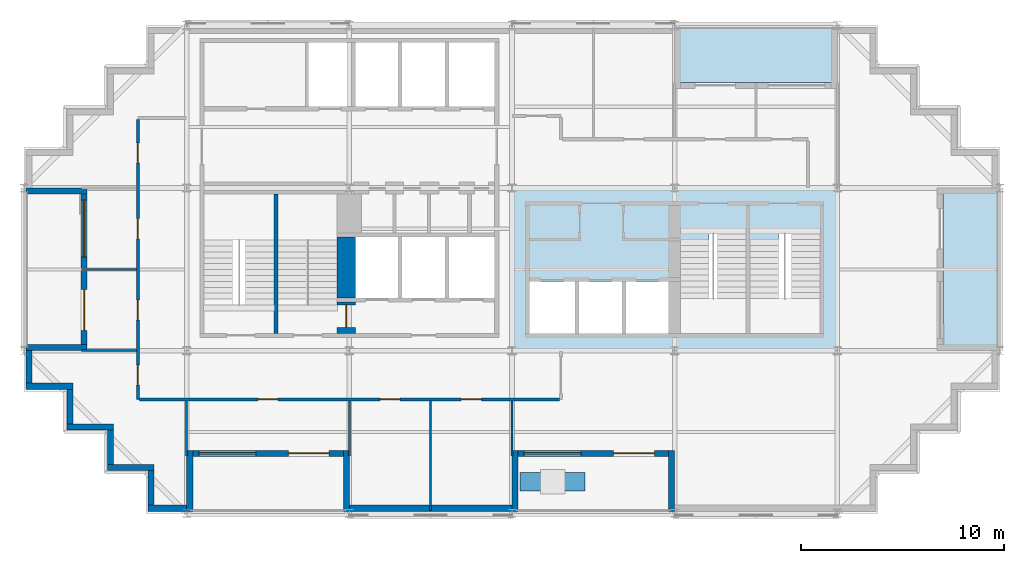
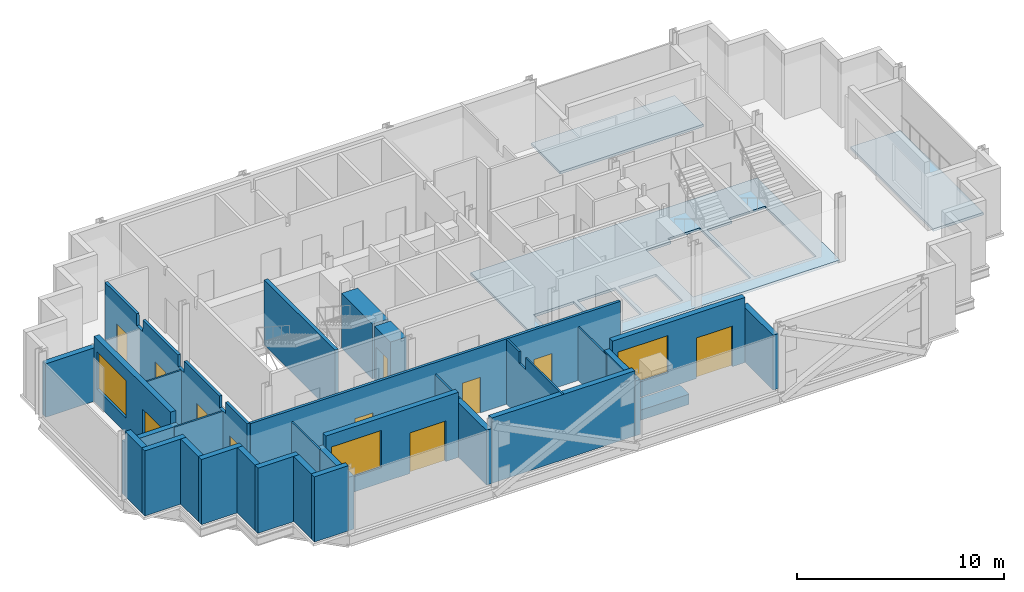
# One storey, part 2 of 8: 30 walls, 11 doors, 3 slabs, 3 windows, 14 openings.
"""IFC4 building model written with IfcOpenShell, lengths in metres."""

import ifcopenshell
import ifcopenshell.guid

model = None  # the IFC model being written
_history = None  # IfcOwnerHistory: only IFC2X3 demands one
_inside = {}  # id of a spatial element -> (the spatial element, [elements in it])
_under = {}  # id of a project, library or spatial element -> (it, [spatial elements below it])
_declared = {}  # id of a project -> (the project, [libraries it declares])
_typed = {}  # id of a type object -> (the type object, [elements of that type])
_made_of = {}  # id of a material, layer set ... -> (it, [elements and type objects made of it])


def new_model(schema):
    """Start an empty IFC model of exactly this schema.

    Asked for "IFC4X3", IfcOpenShell would pick the latest addendum, in which some entities
    have other attributes; the version numbers below select the first issue.
    IFC2X3 requires an IfcOwnerHistory on every rooted entity: one is made here for all.
    """
    global model, _history
    if schema == "IFC4X3":
        model = ifcopenshell.file(schema_version=(4, 3, 0, 0))
    else:
        model = ifcopenshell.file(schema=schema)
    _inside.clear()
    _under.clear()
    _declared.clear()
    _typed.clear()
    _made_of.clear()
    _history = None
    if model.schema == "IFC2X3":
        org = make("IfcOrganization", Name="unknown")
        user = make(
            "IfcPersonAndOrganization",
            ThePerson=make("IfcPerson", FamilyName="unknown"),
            TheOrganization=org,
        )
        app = make(
            "IfcApplication",
            ApplicationDeveloper=org,
            Version="unknown",
            ApplicationFullName="unknown",
            ApplicationIdentifier="unknown",
        )
        _history = make(
            "IfcOwnerHistory",
            OwningUser=user,
            OwningApplication=app,
            ChangeAction="ADDED",
            CreationDate=0,
        )
    return model


def make(cls, **values):
    """One entity of the class cls with the attributes given. An attribute that is None is left unset."""
    return model.create_entity(
        cls, **{name: value for name, value in values.items() if value is not None}
    )


def rooted(cls, **values):
    """An entity with a GlobalId (a new one), such as an element, a storey or a relation."""
    return make(cls, GlobalId=ifcopenshell.guid.new(), OwnerHistory=_history, **values)


def si_unit(unit_type, name, prefix=None):
    """IfcSIUnit, for example si_unit("LENGTHUNIT", "METRE", prefix="MILLI")."""
    return make("IfcSIUnit", UnitType=unit_type, Prefix=prefix, Name=name)


def assignment(units):
    """IfcUnitAssignment: the units of a project."""
    return None if units is None else make("IfcUnitAssignment", Units=units)


def point(xyz):
    """IfcCartesianPoint."""
    return None if xyz is None else make("IfcCartesianPoint", Coordinates=xyz)


def direction(xyz):
    """IfcDirection."""
    return None if xyz is None else make("IfcDirection", DirectionRatios=xyz)


def frame(location, z_axis=None, x_axis=None):
    """IfcAxis2Placement3D, a coordinate frame: its origin and axes. An axis left out is left unset."""
    return make(
        "IfcAxis2Placement3D",
        Location=point(location),
        Axis=direction(z_axis),
        RefDirection=direction(x_axis),
    )


def frame_2d(location, x_axis=None):
    """IfcAxis2Placement2D, a coordinate frame in the plane: its origin and x axis."""
    return make(
        "IfcAxis2Placement2D", Location=point(location), RefDirection=direction(x_axis)
    )


def origin():
    """The frame at (0, 0, 0) with its axes left unset."""
    return frame((0.0, 0.0, 0.0))


def place(relative_to, where):
    """IfcLocalPlacement: puts the frame where relative to a parent placement (None: the world)."""
    return make(
        "IfcLocalPlacement", PlacementRelTo=relative_to, RelativePlacement=where
    )


def context(
    kind, dimensions, precision=None, world=None, true_north=None, identifier=None
):
    """IfcGeometricRepresentationContext, for example the 3D "Model" context."""
    return make(
        "IfcGeometricRepresentationContext",
        ContextIdentifier=identifier,
        ContextType=kind,
        CoordinateSpaceDimension=dimensions,
        Precision=precision,
        WorldCoordinateSystem=world,
        TrueNorth=true_north,
    )


def subcontext(parent, identifier, kind, view, scale=None):
    """IfcGeometricRepresentationSubContext, for example "Body" below "Model"."""
    return make(
        "IfcGeometricRepresentationSubContext",
        ContextIdentifier=identifier,
        ContextType=kind,
        ParentContext=parent,
        TargetScale=scale,
        TargetView=view,
    )


def project(units=None, contexts=None):
    """IfcProject with its units and contexts."""
    return rooted(
        "IfcProject",
        Name="project",
        RepresentationContexts=contexts,
        UnitsInContext=assignment(units),
    )


def spatial(cls, under=None, at=None, **own):
    """A site, building, storey or space (cls), placed at a placement, below another one or the project."""
    s = rooted(cls, ObjectPlacement=at, **own)
    if under is not None:
        _under.setdefault(under.id(), (under, []))[1].append(s)
    return s


def polyline(points):
    """IfcPolyline through the points."""
    return make("IfcPolyline", Points=[point(p) for p in points])


def profile(cls, at=None, kind="AREA", **sizes):
    """A parametric profile (cls). Its sizes go by their IFC names, for example OverallWidth=200.0."""
    return make(cls, ProfileType=kind, Position=at, **sizes)


def rectangle(**sizes):
    """IfcRectangleProfileDef."""
    return profile("IfcRectangleProfileDef", **sizes)


def outline(outer, holes=None, kind="AREA"):
    """IfcArbitraryClosedProfileDef: a profile drawn as a closed curve; with holes, ...WithVoids."""
    if holes is None:
        return make("IfcArbitraryClosedProfileDef", ProfileType=kind, OuterCurve=outer)
    return make(
        "IfcArbitraryProfileDefWithVoids",
        ProfileType=kind,
        OuterCurve=outer,
        InnerCurves=holes,
    )


def extrude(swept, where, along, depth):
    """IfcExtrudedAreaSolid: the profile swept, set in the frame where, extruded along a direction by depth."""
    return make(
        "IfcExtrudedAreaSolid",
        SweptArea=swept,
        Position=where,
        ExtrudedDirection=direction(along),
        Depth=depth,
    )


def shape(context_of_items, identifier, shape_type, items):
    """IfcShapeRepresentation: the items that make up one representation, for example the "Body"."""
    return make(
        "IfcShapeRepresentation",
        ContextOfItems=context_of_items,
        RepresentationIdentifier=identifier,
        RepresentationType=shape_type,
        Items=items,
    )


def material(Name=None, Category=None):
    """IfcMaterial."""
    return make("IfcMaterial", Name=Name, Category=Category)


def layer(
    of_material, thickness, ventilated=None, Name=None, Category=None, Priority=None
):
    """IfcMaterialLayer: one layer of a wall or slab, of a material (None: an air gap)."""
    return make(
        "IfcMaterialLayer",
        Material=of_material,
        LayerThickness=thickness,
        IsVentilated=ventilated,
        Name=Name,
        Category=Category,
        Priority=Priority,
    )


def layer_set(layers, Name=None):
    """IfcMaterialLayerSet."""
    return make("IfcMaterialLayerSet", MaterialLayers=layers, LayerSetName=Name)


def made_of(thing, what):
    """Note that an element or type object is made of a material, layer set ...; save() writes the relation."""
    if what is not None:
        _made_of.setdefault(what.id(), (what, []))[1].append(thing)
    return thing


def type_object(cls, material=None, **own):
    """A type object (cls), such as IfcWallType, which elements share."""
    return made_of(rooted(cls, **own), material)


def element(
    cls,
    number,
    at=None,
    inside=None,
    cuts=None,
    type_object=None,
    material=None,
    context=None,
    identifier="Body",
    shape_type=None,
    held_by="IfcProductDefinitionShape",
    body=None,
    shapes=None,
    **own,
):
    """One element of the class cls, such as IfcWall. Its Tag is "e" and its number.

    at: its placement. inside: the storey or other place that contains it. cuts: it is an
    opening in that element (IfcRelVoidsElement). A single representation is given by context,
    identifier, shape_type and body (its items); several are given by shapes. held_by: the class
    of the entity that holds the representations. save() writes the other relations.
    """
    e = rooted(cls, Tag="e%d" % number, ObjectPlacement=at, **own)
    if body is not None:
        shapes = [shape(context, identifier, shape_type, body)]
    if shapes is not None:
        e.Representation = make(held_by, Representations=shapes)
    if inside is not None:
        _inside.setdefault(inside.id(), (inside, []))[1].append(e)
    if cuts is not None:
        rooted(
            "IfcRelVoidsElement", RelatingBuildingElement=cuts, RelatedOpeningElement=e
        )
    if type_object is not None:
        _typed.setdefault(type_object.id(), (type_object, []))[1].append(e)
    return made_of(e, material)


def fill(opening, filler):
    """IfcRelFillsElement: the door or window that sits in an opening."""
    return rooted(
        "IfcRelFillsElement",
        RelatingOpeningElement=opening,
        RelatedBuildingElement=filler,
    )


def aggregate(whole, parts):
    """IfcRelAggregates: a whole, such as a stair, and the parts it consists of."""
    return rooted("IfcRelAggregates", RelatingObject=whole, RelatedObjects=parts)


def save(model, path):
    """Write the relations noted so far, then the file.

    IfcRelAggregates (storeys below a building ...), IfcRelContainedInSpatialStructure (elements
    in a storey), IfcRelDefinesByType, IfcRelAssociatesMaterial and IfcRelDeclares: one each for
    every whole, place, type object, material and project.
    """
    for whole, parts in _under.values():
        aggregate(whole, parts)
    for where, things in _inside.values():
        rooted(
            "IfcRelContainedInSpatialStructure",
            RelatedElements=things,
            RelatingStructure=where,
        )
    for kind, things in _typed.values():
        rooted("IfcRelDefinesByType", RelatedObjects=things, RelatingType=kind)
    for what, things in _made_of.values():
        rooted("IfcRelAssociatesMaterial", RelatedObjects=things, RelatingMaterial=what)
    for by, libraries in _declared.values():
        rooted("IfcRelDeclares", RelatingContext=by, RelatedDefinitions=libraries)
    model.write(path)


model = new_model("IFC4")

# Units and contexts
model_context = context("Model", 3, precision=1e-05, world=origin(), true_north=direction((0.0, 1.0)))
body_context = subcontext(model_context, "Body", "Model", "MODEL_VIEW")
ifc_project = project(units=[si_unit("LENGTHUNIT", "METRE"), si_unit("AREAUNIT", "SQUARE_METRE"), si_unit("VOLUMEUNIT", "CUBIC_METRE"), si_unit("PLANEANGLEUNIT", "RADIAN"), si_unit("MASSUNIT", "GRAM", prefix="KILO")], contexts=[model_context])

# Site, building, storey
site_placement = place(None, origin())
site = spatial("IfcSite", under=ifc_project, at=site_placement, CompositionType="ELEMENT")
building_placement = place(site_placement, origin())
building = spatial("IfcBuilding", under=site, at=building_placement, Name="Immortelle Media Tower", CompositionType="ELEMENT")
storey_placement = place(building_placement, frame((0.0, 0.0, 201.0)))
storey = spatial("IfcBuildingStorey", under=building, at=storey_placement, Name="L42", CompositionType="ELEMENT", Elevation=201.0)

# Slabs
ifc_material_1 = material(Name="Concrete C50/60 composite deck", Category="concrete")
ifc_layer_1 = layer(ifc_material_1, 0.14990234375)
ifc_layer_set_1 = layer_set([ifc_layer_1], Name="Concrete C50/60 composite deck")
slab_type_1 = type_object("IfcSlabType", Name="Balcony slab 150", PredefinedType="FLOOR", material=ifc_layer_set_1)
slab_1_placement = place(storey_placement, frame((0.0, 0.0, -0.14990234375)))
element("IfcSlab", 1, at=slab_1_placement, inside=storey, type_object=slab_type_1, Name="Balcony slab L42 E0", PredefinedType="FLOOR", context=body_context, shape_type="SweptSolid", body=[
    extrude(outline(polyline([(48.0, 8.0), (48.0, 16.0), (45.199951171875, 16.0), (45.199951171875, 8.0), (48.0, 8.0)])), origin(), (0.0, 0.0, 1.0), 0.14990234375),
])
slab_2_placement = place(storey_placement, frame((0.0, 0.0, -0.14990234375)))
element("IfcSlab", 2, at=slab_2_placement, inside=storey, type_object=slab_type_1, Name="Balcony slab L42 N0", PredefinedType="FLOOR", context=body_context, shape_type="SweptSolid", body=[
    extrude(outline(polyline([(40.0, 21.199951171875), (40.0, 24.0), (32.0, 24.0), (32.0, 21.199951171875), (40.0, 21.199951171875)])), origin(), (0.0, 0.0, 1.0), 0.14990234375),
])
ifc_material_2 = material(Name="Concrete C50/60", Category="concrete")
ifc_layer_2 = layer(ifc_material_2, 0.14990234375)
ifc_layer_set_2 = layer_set([ifc_layer_2], Name="Concrete C50/60")
slab_type_2 = type_object("IfcSlabType", Name="Core floor slab 150", PredefinedType="FLOOR", material=ifc_layer_set_2)
slab_3_placement = place(storey_placement, frame((0.0, 0.0, -0.14990234375)))
element("IfcSlab", 3, at=slab_3_placement, inside=storey, type_object=slab_type_2, Name="Core floor SE", PredefinedType="FLOOR", context=body_context, shape_type="SweptSolid", body=[
    extrude(outline(polyline([(24.0, 8.0), (40.0, 8.0), (40.0, 16.0), (24.0, 16.0), (24.0, 8.0)]), holes=[polyline([(24.85009765625, 8.85009765625), (27.10009765625, 8.85009765625), (27.10009765625, 11.39990234375), (24.85009765625, 11.39990234375), (24.85009765625, 8.85009765625)]), polyline([(27.300048828125, 8.85009765625), (29.39990234375, 8.85009765625), (29.39990234375, 11.39990234375), (27.300048828125, 11.39990234375), (27.300048828125, 8.85009765625)]), polyline([(29.60009765625, 8.85009765625), (31.699951171875, 8.85009765625), (31.699951171875, 11.39990234375), (29.60009765625, 11.39990234375), (29.60009765625, 8.85009765625)]), polyline([(35.5, 13.72998046875), (35.5, 8.85009765625), (32.300048828125, 8.85009765625), (32.300048828125, 13.43994140625), (33.699951171875, 13.43994140625), (33.699951171875, 13.72998046875), (35.5, 13.72998046875)]), polyline([(39.14990234375, 13.72998046875), (39.14990234375, 8.85009765625), (35.699951171875, 8.85009765625), (35.699951171875, 13.43994140625), (37.10009765625, 13.43994140625), (37.10009765625, 13.72998046875), (39.14990234375, 13.72998046875)])]), origin(), (0.0, 0.0, 1.0), 0.14990234375),
])

# Wall, openings, doors
ifc_material_3 = material(Name="Fire-rated gypsum board", Category="gypsum")
ifc_layer_3 = layer(ifc_material_3, 0.012451171875)
ifc_material_4 = material(Name="Steel ASTM A653 SS Gr 50 stud frame with mineral wool", Category="steel")
ifc_layer_4 = layer(ifc_material_4, 0.125)
ifc_layer_5 = layer(ifc_material_3, 0.012451171875)
ifc_layer_set_3 = layer_set([ifc_layer_3, ifc_layer_4, ifc_layer_5], Name="Steel ASTM A653 SS Gr 50 stud frame with mineral wool")
wall_type_1 = type_object("IfcWallType", Name="Corridor wall 150", PredefinedType="PARTITIONING", material=ifc_layer_set_3)
wall_1_placement = place(storey_placement, frame((5.675048828125, 5.60009765625, 0.0), z_axis=(0.0, 0.0, 1.0), x_axis=(1.0, 0.0, 0.0)))
wall_1 = element("IfcWall", 4, at=wall_1_placement, inside=storey, type_object=wall_type_1, Name="Partition L42-005", PredefinedType="PARTITIONING", context=body_context, shape_type="SweptSolid", body=[
    extrude(rectangle(XDim=20.64990234375, YDim=0.14990234375, at=frame_2d((10.324951171875, 0.0))), origin(), (0.0, 0.0, 1.0), 3.85009765625),
])
opening_1_placement = place(wall_1_placement, frame((12.824951171875, 0.0, 0.0), z_axis=(0.0, 0.0, 1.0), x_axis=(-1.0, 0.0, 0.0)))
opening_1 = element("IfcOpeningElement", 5, at=opening_1_placement, cuts=wall_1, Name="Opening O2-F001", PredefinedType="OPENING", context=body_context, shape_type="SweptSolid", body=[
    extrude(rectangle(XDim=1.0, YDim=2.10009765625, at=frame_2d((0.5, 1.050048828125))), frame((0.0, 0.0849609375, 0.0), z_axis=(0.0, -1.0, 0.0), x_axis=(1.0, 0.0, 0.0)), (0.0, 0.0, 1.0), 0.169921875),
])
opening_2_placement = place(wall_1_placement, frame((16.824951171875, 0.0, 0.0), z_axis=(0.0, 0.0, 1.0), x_axis=(-1.0, 0.0, 0.0)))
opening_2 = element("IfcOpeningElement", 6, at=opening_2_placement, cuts=wall_1, Name="Opening O2-F002", PredefinedType="OPENING", context=body_context, shape_type="SweptSolid", body=[
    extrude(rectangle(XDim=1.0, YDim=2.10009765625, at=frame_2d((0.5, 1.050048828125))), frame((0.0, 0.0849609375, 0.0), z_axis=(0.0, -1.0, 0.0), x_axis=(1.0, 0.0, 0.0)), (0.0, 0.0, 1.0), 0.169921875),
])
opening_3_placement = place(wall_1_placement, frame((6.824951171875, 0.0, 0.0), z_axis=(0.0, 0.0, 1.0), x_axis=(-1.0, 0.0, 0.0)))
opening_3 = element("IfcOpeningElement", 7, at=opening_3_placement, cuts=wall_1, Name="Opening O2-F003", PredefinedType="OPENING", context=body_context, shape_type="SweptSolid", body=[
    extrude(rectangle(XDim=1.0, YDim=2.10009765625, at=frame_2d((0.5, 1.050048828125))), frame((0.0, 0.0849609375, 0.0), z_axis=(0.0, -1.0, 0.0), x_axis=(1.0, 0.0, 0.0)), (0.0, 0.0, 1.0), 0.169921875),
])
ifc_material_5 = material(Name="Timber veneered door leaf, galvanised steel frame ASTM A653", Category="steel")
door_type_1 = type_object("IfcDoorType", Name="Room door 1000 x 2100", OperationType="NOTDEFINED", PredefinedType="DOOR", material=ifc_material_5)
door_1_placement = place(opening_1_placement, origin())
door_1 = element("IfcDoor", 8, at=door_1_placement, inside=storey, type_object=door_type_1, Name="Door O2-F001", OperationType="SINGLE_SWING_RIGHT", OverallHeight=2.10009765625, OverallWidth=1.0, PredefinedType="DOOR", context=body_context, shape_type="SweptSolid", body=[
    extrude(rectangle(XDim=1.0, YDim=2.10009765625, at=frame_2d((0.5, 1.050048828125))), frame((0.0, 0.02490234375, 0.0), z_axis=(0.0, -1.0, 0.0), x_axis=(1.0, 0.0, 0.0)), (0.0, 0.0, 1.0), 0.050048828125),
])
fill(opening_1, door_1)
door_2_placement = place(opening_2_placement, origin())
door_2 = element("IfcDoor", 9, at=door_2_placement, inside=storey, type_object=door_type_1, Name="Door O2-F002", OperationType="SINGLE_SWING_RIGHT", OverallHeight=2.10009765625, OverallWidth=1.0, PredefinedType="DOOR", context=body_context, shape_type="SweptSolid", body=[
    extrude(rectangle(XDim=1.0, YDim=2.10009765625, at=frame_2d((0.5, 1.050048828125))), frame((0.0, 0.02490234375, 0.0), z_axis=(0.0, -1.0, 0.0), x_axis=(1.0, 0.0, 0.0)), (0.0, 0.0, 1.0), 0.050048828125),
])
fill(opening_2, door_2)
door_3_placement = place(opening_3_placement, origin())
door_3 = element("IfcDoor", 10, at=door_3_placement, inside=storey, type_object=door_type_1, Name="Door O2-F003", OperationType="SINGLE_SWING_RIGHT", OverallHeight=2.10009765625, OverallWidth=1.0, PredefinedType="DOOR", context=body_context, shape_type="SweptSolid", body=[
    extrude(rectangle(XDim=1.0, YDim=2.10009765625, at=frame_2d((0.5, 1.050048828125))), frame((0.0, 0.02490234375, 0.0), z_axis=(0.0, -1.0, 0.0), x_axis=(1.0, 0.0, 0.0)), (0.0, 0.0, 1.0), 0.050048828125),
])
fill(opening_3, door_3)

wall_2_placement = place(storey_placement, frame((5.60009765625, 5.60009765625, 0.0), z_axis=(0.0, 0.0, 1.0), x_axis=(0.0, 1.0, 0.0)))
wall_2 = element("IfcWall", 11, at=wall_2_placement, inside=storey, type_object=wall_type_1, Name="Partition L42-006", PredefinedType="PARTITIONING", context=body_context, shape_type="SweptSolid", body=[
    extrude(outline(polyline([(0.0, 0.0), (13.77490234375, 0.0), (13.77490234375, 3.85009765625), (10.699951171875, 3.85009765625), (10.697998046875, 3.156982421875), (10.10205078125, 3.156982421875), (10.10009765625, 3.85009765625), (6.699951171875, 3.85009765625), (6.697998046875, 3.156982421875), (6.10205078125, 3.156982421875), (6.10009765625, 3.85009765625), (2.699951171875, 3.85009765625), (2.697998046875, 3.156982421875), (2.10205078125, 3.156982421875), (2.10009765625, 3.85009765625), (0.0, 3.85009765625), (0.0, 0.0)])), frame((0.0, 0.074951171875, 0.0), z_axis=(0.0, -1.0, 0.0), x_axis=(1.0, 0.0, 0.0)), (0.0, 0.0, 1.0), 0.14990234375),
])
opening_4_placement = place(wall_2_placement, frame((0.699951171875, 0.0, 0.0)))
opening_4 = element("IfcOpeningElement", 12, at=opening_4_placement, cuts=wall_2, Name="Opening O2-F004", PredefinedType="OPENING", context=body_context, shape_type="SweptSolid", body=[
    extrude(rectangle(XDim=1.0, YDim=2.10009765625, at=frame_2d((0.5, 1.050048828125))), frame((0.0, 0.0849609375, 0.0), z_axis=(0.0, -1.0, 0.0), x_axis=(1.0, 0.0, 0.0)), (0.0, 0.0, 1.0), 0.169921875),
])
opening_5_placement = place(wall_2_placement, frame((3.89990234375, 0.0, 0.0)))
opening_5 = element("IfcOpeningElement", 13, at=opening_5_placement, cuts=wall_2, Name="Opening O2-F006", PredefinedType="OPENING", context=body_context, shape_type="SweptSolid", body=[
    extrude(rectangle(XDim=1.0, YDim=2.10009765625, at=frame_2d((0.5, 1.050048828125))), frame((0.0, 0.0849609375, 0.0), z_axis=(0.0, -1.0, 0.0), x_axis=(1.0, 0.0, 0.0)), (0.0, 0.0, 1.0), 0.169921875),
])
opening_6_placement = place(wall_2_placement, frame((7.89990234375, 0.0, 0.0)))
opening_6 = element("IfcOpeningElement", 14, at=opening_6_placement, cuts=wall_2, Name="Opening O2-F007", PredefinedType="OPENING", context=body_context, shape_type="SweptSolid", body=[
    extrude(rectangle(XDim=1.0, YDim=2.10009765625, at=frame_2d((0.5, 1.050048828125))), frame((0.0, 0.0849609375, 0.0), z_axis=(0.0, -1.0, 0.0), x_axis=(1.0, 0.0, 0.0)), (0.0, 0.0, 1.0), 0.169921875),
])
opening_7_placement = place(wall_2_placement, frame((11.625, 0.0, 0.0)))
opening_7 = element("IfcOpeningElement", 15, at=opening_7_placement, cuts=wall_2, Name="Opening O2-F008", PredefinedType="OPENING", context=body_context, shape_type="SweptSolid", body=[
    extrude(rectangle(XDim=1.0, YDim=2.10009765625, at=frame_2d((0.5, 1.050048828125))), frame((0.0, 0.0849609375, 0.0), z_axis=(0.0, -1.0, 0.0), x_axis=(1.0, 0.0, 0.0)), (0.0, 0.0, 1.0), 0.169921875),
])
door_4_placement = place(opening_4_placement, origin())
door_4 = element("IfcDoor", 16, at=door_4_placement, inside=storey, type_object=door_type_1, Name="Door O2-F004", OperationType="SINGLE_SWING_RIGHT", OverallHeight=2.10009765625, OverallWidth=1.0, PredefinedType="DOOR", context=body_context, shape_type="SweptSolid", body=[
    extrude(rectangle(XDim=1.0, YDim=2.10009765625, at=frame_2d((0.5, 1.050048828125))), frame((0.0, 0.02490234375, 0.0), z_axis=(0.0, -1.0, 0.0), x_axis=(1.0, 0.0, 0.0)), (0.0, 0.0, 1.0), 0.050048828125),
])
fill(opening_4, door_4)
door_5_placement = place(opening_5_placement, origin())
door_5 = element("IfcDoor", 17, at=door_5_placement, inside=storey, type_object=door_type_1, Name="Door O2-F006", OperationType="SINGLE_SWING_RIGHT", OverallHeight=2.10009765625, OverallWidth=1.0, PredefinedType="DOOR", context=body_context, shape_type="SweptSolid", body=[
    extrude(rectangle(XDim=1.0, YDim=2.10009765625, at=frame_2d((0.5, 1.050048828125))), frame((0.0, 0.02490234375, 0.0), z_axis=(0.0, -1.0, 0.0), x_axis=(1.0, 0.0, 0.0)), (0.0, 0.0, 1.0), 0.050048828125),
])
fill(opening_5, door_5)
door_6_placement = place(opening_6_placement, origin())
door_6 = element("IfcDoor", 18, at=door_6_placement, inside=storey, type_object=door_type_1, Name="Door O2-F007", OperationType="SINGLE_SWING_LEFT", OverallHeight=2.10009765625, OverallWidth=1.0, PredefinedType="DOOR", context=body_context, shape_type="SweptSolid", body=[
    extrude(rectangle(XDim=1.0, YDim=2.10009765625, at=frame_2d((0.5, 1.050048828125))), frame((0.0, 0.02490234375, 0.0), z_axis=(0.0, -1.0, 0.0), x_axis=(1.0, 0.0, 0.0)), (0.0, 0.0, 1.0), 0.050048828125),
])
fill(opening_6, door_6)
door_7_placement = place(opening_7_placement, origin())
door_7 = element("IfcDoor", 19, at=door_7_placement, inside=storey, type_object=door_type_1, Name="Door O2-F008", OperationType="SINGLE_SWING_LEFT", OverallHeight=2.10009765625, OverallWidth=1.0, PredefinedType="DOOR", context=body_context, shape_type="SweptSolid", body=[
    extrude(rectangle(XDim=1.0, YDim=2.10009765625, at=frame_2d((0.5, 1.050048828125))), frame((0.0, 0.02490234375, 0.0), z_axis=(0.0, -1.0, 0.0), x_axis=(1.0, 0.0, 0.0)), (0.0, 0.0, 1.0), 0.050048828125),
])
fill(opening_7, door_7)

# Walls
ifc_material_6 = material(Name="Pale aluminium cladding panel", Category="aluminium")
ifc_layer_6 = layer(ifc_material_6, 0.030029296875)
ifc_layer_7 = layer(ifc_material_4, 0.257568359375)
ifc_material_7 = material(Name="Moisture-resistant gypsum board", Category="gypsum")
ifc_layer_8 = layer(ifc_material_7, 0.012451171875)
ifc_layer_set_4 = layer_set([ifc_layer_6, ifc_layer_7, ifc_layer_8], Name="Steel ASTM A653 SS Gr 50 stud frame with mineral wool")
wall_type_2 = type_object("IfcWallType", Name="Facade wall 300", PredefinedType="SOLIDWALL", material=ifc_layer_set_4)
wall_3_placement = place(storey_placement, frame((0.10009765625, 6.25, 0.0), z_axis=(0.0, 0.0, 1.0), x_axis=(1.0, 0.0, 0.0)))
element("IfcWall", 20, at=wall_3_placement, inside=storey, type_object=wall_type_2, Name="Facade wall L42 S0", PredefinedType="SOLIDWALL", context=body_context, shape_type="SweptSolid", body=[
    extrude(rectangle(XDim=2.2998046875, YDim=0.300048828125, at=frame_2d((1.14990234375, 0.0))), origin(), (0.0, 0.0, 1.0), 3.85009765625),
])
wall_4_placement = place(storey_placement, frame((2.25, 6.10009765625, 0.0), z_axis=(0.0, 0.0, 1.0), x_axis=(0.0, -1.0, 0.0)))
element("IfcWall", 21, at=wall_4_placement, inside=storey, type_object=wall_type_2, Name="Facade wall L42 W1", PredefinedType="SOLIDWALL", context=body_context, shape_type="SweptSolid", body=[
    extrude(rectangle(XDim=1.7001953125, YDim=0.300048828125, at=frame_2d((0.85009765625, 0.0))), origin(), (0.0, 0.0, 1.0), 3.85009765625),
])
wall_5_placement = place(storey_placement, frame((2.10009765625, 4.25, 0.0), z_axis=(0.0, 0.0, 1.0), x_axis=(1.0, 0.0, 0.0)))
element("IfcWall", 22, at=wall_5_placement, inside=storey, type_object=wall_type_2, Name="Facade wall L42 S2", PredefinedType="SOLIDWALL", context=body_context, shape_type="SweptSolid", body=[
    extrude(rectangle(XDim=2.2998046875, YDim=0.300048828125, at=frame_2d((1.14990234375, 0.0))), origin(), (0.0, 0.0, 1.0), 3.85009765625),
])
wall_6_placement = place(storey_placement, frame((4.25, 4.10009765625, 0.0), z_axis=(0.0, 0.0, 1.0), x_axis=(0.0, -1.0, 0.0)))
element("IfcWall", 23, at=wall_6_placement, inside=storey, type_object=wall_type_2, Name="Facade wall L42 W3", PredefinedType="SOLIDWALL", context=body_context, shape_type="SweptSolid", body=[
    extrude(rectangle(XDim=1.7001953125, YDim=0.300048828125, at=frame_2d((0.85009765625, 0.0))), origin(), (0.0, 0.0, 1.0), 3.85009765625),
])
wall_7_placement = place(storey_placement, frame((4.10009765625, 2.25, 0.0), z_axis=(0.0, 0.0, 1.0), x_axis=(1.0, 0.0, 0.0)))
element("IfcWall", 24, at=wall_7_placement, inside=storey, type_object=wall_type_2, Name="Facade wall L42 S4", PredefinedType="SOLIDWALL", context=body_context, shape_type="SweptSolid", body=[
    extrude(rectangle(XDim=2.2998046875, YDim=0.300048828125, at=frame_2d((1.14990234375, 0.0))), origin(), (0.0, 0.0, 1.0), 3.85009765625),
])
wall_8_placement = place(storey_placement, frame((6.25, 2.10009765625, 0.0), z_axis=(0.0, 0.0, 1.0), x_axis=(0.0, -1.0, 0.0)))
element("IfcWall", 25, at=wall_8_placement, inside=storey, type_object=wall_type_2, Name="Facade wall L42 W5", PredefinedType="SOLIDWALL", context=body_context, shape_type="SweptSolid", body=[
    extrude(rectangle(XDim=1.7001953125, YDim=0.300048828125, at=frame_2d((0.85009765625, 0.0))), origin(), (0.0, 0.0, 1.0), 3.85009765625),
])
wall_9_placement = place(storey_placement, frame((6.10009765625, 0.25, 0.0), z_axis=(0.0, 0.0, 1.0), x_axis=(1.0, 0.0, 0.0)))
element("IfcWall", 26, at=wall_9_placement, inside=storey, type_object=wall_type_2, Name="Facade wall L42 S6", PredefinedType="SOLIDWALL", context=body_context, shape_type="SweptSolid", body=[
    extrude(rectangle(XDim=1.89990234375, YDim=0.300048828125, at=frame_2d((0.949951171875, 0.0))), origin(), (0.0, 0.0, 1.0), 3.85009765625),
])

# Wall, openings, door, window
wall_10_placement = place(storey_placement, frame((8.300048828125, 2.949951171875, 0.0), z_axis=(0.0, 0.0, 1.0), x_axis=(1.0, 0.0, 0.0)))
wall_10 = element("IfcWall", 27, at=wall_10_placement, inside=storey, type_object=wall_type_2, Name="Loggia wall L42 S6", PredefinedType="SOLIDWALL", context=body_context, shape_type="SweptSolid", body=[
    extrude(rectangle(XDim=7.39990234375, YDim=0.300048828125, at=frame_2d((3.699951171875, 0.0))), origin(), (0.0, 0.0, 1.0), 3.85009765625),
])
opening_8_placement = place(wall_10_placement, frame((0.300048828125, 0.0, 0.89990234375)))
opening_8 = element("IfcOpeningElement", 28, at=opening_8_placement, cuts=wall_10, Name="Opening W1", PredefinedType="OPENING", context=body_context, shape_type="SweptSolid", body=[
    extrude(rectangle(XDim=2.800048828125, YDim=2.199951171875, at=frame_2d((1.39990234375, 1.10009765625))), frame((0.0, 0.159912109375, 0.0), z_axis=(0.0, -1.0, 0.0), x_axis=(1.0, 0.0, 0.0)), (0.0, 0.0, 1.0), 0.320068359375),
])
opening_9_placement = place(wall_10_placement, frame((4.699951171875, 0.0, 0.0)))
opening_9 = element("IfcOpeningElement", 29, at=opening_9_placement, cuts=wall_10, Name="Opening O2-E001", PredefinedType="OPENING", context=body_context, shape_type="SweptSolid", body=[
    extrude(rectangle(XDim=2.0, YDim=2.39990234375, at=frame_2d((1.0, 1.199951171875))), frame((0.0, 0.159912109375, 0.0), z_axis=(0.0, -1.0, 0.0), x_axis=(1.0, 0.0, 0.0)), (0.0, 0.0, 1.0), 0.320068359375),
])
ifc_material_8 = material(Name="Aluminium frame, glazed leaves", Category="aluminium")
door_type_2 = type_object("IfcDoorType", Name="Loggia door 2000 x 2400", OperationType="DOUBLE_DOOR_SINGLE_SWING", PredefinedType="DOOR", material=ifc_material_8)
door_8_placement = place(opening_9_placement, origin())
door_8 = element("IfcDoor", 30, at=door_8_placement, inside=storey, type_object=door_type_2, Name="Door O2-E001", OperationType="DOUBLE_DOOR_SINGLE_SWING", OverallHeight=2.39990234375, OverallWidth=2.0, PredefinedType="DOOR", context=body_context, shape_type="SweptSolid", body=[
    extrude(rectangle(XDim=2.0, YDim=2.39990234375, at=frame_2d((1.0, 1.199951171875))), frame((0.0, 0.02490234375, 0.0), z_axis=(0.0, -1.0, 0.0), x_axis=(1.0, 0.0, 0.0)), (0.0, 0.0, 1.0), 0.050048828125),
])
fill(opening_9, door_8)
ifc_material_9 = material(Name="Aluminium frame", Category="aluminium")
window_type = type_object("IfcWindowType", Name="Window 2800 x 2200", PartitioningType="SINGLE_PANEL", PredefinedType="WINDOW", material=ifc_material_9)
window_1_placement = place(opening_8_placement, origin())
window_1 = element("IfcWindow", 31, at=window_1_placement, inside=storey, type_object=window_type, Name="Window L42 L42-R6-B0", OverallHeight=2.199951171875, OverallWidth=2.800048828125, PartitioningType="SINGLE_PANEL", PredefinedType="WINDOW", context=body_context, shape_type="SweptSolid", body=[
    extrude(rectangle(XDim=2.800048828125, YDim=2.199951171875, at=frame_2d((1.39990234375, 1.10009765625))), frame((0.0, 0.030029296875, 0.0), z_axis=(0.0, -1.0, 0.0), x_axis=(1.0, 0.0, 0.0)), (0.0, 0.0, 1.0), 0.06005859375),
])
fill(opening_8, window_1)

# Walls
wall_11_placement = place(storey_placement, frame((8.14990234375, 0.10009765625, 0.0), z_axis=(0.0, 0.0, 1.0), x_axis=(0.0, 1.0, 0.0)))
element("IfcWall", 32, at=wall_11_placement, inside=storey, type_object=wall_type_2, Name="Loggia cheek wall L42 S", PredefinedType="SOLIDWALL", context=body_context, shape_type="SweptSolid", body=[
    extrude(rectangle(XDim=3.0, YDim=0.300048828125, at=frame_2d((1.5, 0.0))), origin(), (0.0, 0.0, 1.0), 3.156005859375),
])
wall_12_placement = place(storey_placement, frame((15.85009765625, 0.10009765625, 0.0), z_axis=(0.0, 0.0, 1.0), x_axis=(0.0, 1.0, 0.0)))
element("IfcWall", 33, at=wall_12_placement, inside=storey, type_object=wall_type_2, Name="Loggia cheek wall L42 S", PredefinedType="SOLIDWALL", context=body_context, shape_type="SweptSolid", body=[
    extrude(rectangle(XDim=3.0, YDim=0.300048828125, at=frame_2d((1.5, 0.0))), origin(), (0.0, 0.0, 1.0), 3.237060546875),
])
wall_13_placement = place(storey_placement, frame((16.0, 0.25, 0.0), z_axis=(0.0, 0.0, 1.0), x_axis=(1.0, 0.0, 0.0)))
element("IfcWall", 34, at=wall_13_placement, inside=storey, type_object=wall_type_2, Name="Facade wall L42 S6", PredefinedType="SOLIDWALL", context=body_context, shape_type="SweptSolid", body=[
    extrude(rectangle(XDim=8.0, YDim=0.300048828125, at=frame_2d((4.0, 0.0))), origin(), (0.0, 0.0, 1.0), 3.85009765625),
])

# Wall, openings, door, window
wall_14_placement = place(storey_placement, frame((24.300048828125, 2.949951171875, 0.0), z_axis=(0.0, 0.0, 1.0), x_axis=(1.0, 0.0, 0.0)))
wall_14 = element("IfcWall", 35, at=wall_14_placement, inside=storey, type_object=wall_type_2, Name="Loggia wall L42 S6", PredefinedType="SOLIDWALL", context=body_context, shape_type="SweptSolid", body=[
    extrude(rectangle(XDim=7.39990234375, YDim=0.300048828125, at=frame_2d((3.699951171875, 0.0))), origin(), (0.0, 0.0, 1.0), 3.85009765625),
])
opening_10_placement = place(wall_14_placement, frame((0.300048828125, 0.0, 0.89990234375)))
opening_10 = element("IfcOpeningElement", 36, at=opening_10_placement, cuts=wall_14, Name="Opening W1", PredefinedType="OPENING", context=body_context, shape_type="SweptSolid", body=[
    extrude(rectangle(XDim=2.800048828125, YDim=2.199951171875, at=frame_2d((1.39990234375, 1.10009765625))), frame((0.0, 0.159912109375, 0.0), z_axis=(0.0, -1.0, 0.0), x_axis=(1.0, 0.0, 0.0)), (0.0, 0.0, 1.0), 0.320068359375),
])
opening_11_placement = place(wall_14_placement, frame((4.699951171875, 0.0, 0.0)))
opening_11 = element("IfcOpeningElement", 37, at=opening_11_placement, cuts=wall_14, Name="Opening O2-E002", PredefinedType="OPENING", context=body_context, shape_type="SweptSolid", body=[
    extrude(rectangle(XDim=2.0, YDim=2.39990234375, at=frame_2d((1.0, 1.199951171875))), frame((0.0, 0.159912109375, 0.0), z_axis=(0.0, -1.0, 0.0), x_axis=(1.0, 0.0, 0.0)), (0.0, 0.0, 1.0), 0.320068359375),
])
door_9_placement = place(opening_11_placement, origin())
door_9 = element("IfcDoor", 38, at=door_9_placement, inside=storey, type_object=door_type_2, Name="Door O2-E002", OperationType="DOUBLE_DOOR_SINGLE_SWING", OverallHeight=2.39990234375, OverallWidth=2.0, PredefinedType="DOOR", context=body_context, shape_type="SweptSolid", body=[
    extrude(rectangle(XDim=2.0, YDim=2.39990234375, at=frame_2d((1.0, 1.199951171875))), frame((0.0, 0.02490234375, 0.0), z_axis=(0.0, -1.0, 0.0), x_axis=(1.0, 0.0, 0.0)), (0.0, 0.0, 1.0), 0.050048828125),
])
fill(opening_11, door_9)
window_2_placement = place(opening_10_placement, origin())
window_2 = element("IfcWindow", 39, at=window_2_placement, inside=storey, type_object=window_type, Name="Window L42 L42-R6-B2", OverallHeight=2.199951171875, OverallWidth=2.800048828125, PartitioningType="SINGLE_PANEL", PredefinedType="WINDOW", context=body_context, shape_type="SweptSolid", body=[
    extrude(rectangle(XDim=2.800048828125, YDim=2.199951171875, at=frame_2d((1.39990234375, 1.10009765625))), frame((0.0, 0.030029296875, 0.0), z_axis=(0.0, -1.0, 0.0), x_axis=(1.0, 0.0, 0.0)), (0.0, 0.0, 1.0), 0.06005859375),
])
fill(opening_10, window_2)

# Walls
for number, where, z_axis, x_axis, name in (
    (40, (24.14990234375, 0.10009765625, 0.0), (0.0, 0.0, 1.0), (0.0, 1.0, 0.0), "Loggia cheek wall L42 S"),
    (41, (31.85009765625, 0.10009765625, 0.0), (0.0, 0.0, 1.0), (0.0, 1.0, 0.0), "Loggia cheek wall L42 S"),
):
    element("IfcWall", number, at=place(storey_placement, frame(where, z_axis=z_axis, x_axis=x_axis)), inside=storey, type_object=wall_type_2, Name=name, PredefinedType="SOLIDWALL", context=body_context, shape_type="SweptSolid", body=[
        extrude(rectangle(XDim=3.0, YDim=0.300048828125, at=frame_2d((1.5, 0.0))), origin(), (0.0, 0.0, 1.0), 3.237060546875),
    ])

# Wall, openings, door, window
wall_15_placement = place(storey_placement, frame((2.949951171875, 15.699951171875, 0.0), z_axis=(0.0, 0.0, 1.0), x_axis=(0.0, -1.0, 0.0)))
wall_15 = element("IfcWall", 42, at=wall_15_placement, inside=storey, type_object=wall_type_2, Name="Loggia wall L42 W27", PredefinedType="SOLIDWALL", context=body_context, shape_type="SweptSolid", body=[
    extrude(rectangle(XDim=7.39990234375, YDim=0.300048828125, at=frame_2d((3.699951171875, 0.0))), origin(), (0.0, 0.0, 1.0), 3.85009765625),
])
opening_12_placement = place(wall_15_placement, frame((0.300048828125, 0.0, 0.89990234375)))
opening_12 = element("IfcOpeningElement", 43, at=opening_12_placement, cuts=wall_15, Name="Opening W1", PredefinedType="OPENING", context=body_context, shape_type="SweptSolid", body=[
    extrude(rectangle(XDim=2.800048828125, YDim=2.199951171875, at=frame_2d((1.39990234375, 1.10009765625))), frame((0.0, 0.159912109375, 0.0), z_axis=(0.0, -1.0, 0.0), x_axis=(1.0, 0.0, 0.0)), (0.0, 0.0, 1.0), 0.320068359375),
])
opening_13_placement = place(wall_15_placement, frame((4.699951171875, 0.0, 0.0)))
opening_13 = element("IfcOpeningElement", 44, at=opening_13_placement, cuts=wall_15, Name="Opening O2-E006", PredefinedType="OPENING", context=body_context, shape_type="SweptSolid", body=[
    extrude(rectangle(XDim=2.0, YDim=2.39990234375, at=frame_2d((1.0, 1.199951171875))), frame((0.0, 0.159912109375, 0.0), z_axis=(0.0, -1.0, 0.0), x_axis=(1.0, 0.0, 0.0)), (0.0, 0.0, 1.0), 0.320068359375),
])
door_10_placement = place(opening_13_placement, origin())
door_10 = element("IfcDoor", 45, at=door_10_placement, inside=storey, type_object=door_type_2, Name="Door O2-E006", OperationType="DOUBLE_DOOR_SINGLE_SWING", OverallHeight=2.39990234375, OverallWidth=2.0, PredefinedType="DOOR", context=body_context, shape_type="SweptSolid", body=[
    extrude(rectangle(XDim=2.0, YDim=2.39990234375, at=frame_2d((1.0, 1.199951171875))), frame((0.0, 0.02490234375, 0.0), z_axis=(0.0, -1.0, 0.0), x_axis=(1.0, 0.0, 0.0)), (0.0, 0.0, 1.0), 0.050048828125),
])
fill(opening_13, door_10)
window_3_placement = place(opening_12_placement, origin())
window_3 = element("IfcWindow", 46, at=window_3_placement, inside=storey, type_object=window_type, Name="Window L42 L42-R27-B0", OverallHeight=2.199951171875, OverallWidth=2.800048828125, PartitioningType="SINGLE_PANEL", PredefinedType="WINDOW", context=body_context, shape_type="SweptSolid", body=[
    extrude(rectangle(XDim=2.800048828125, YDim=2.199951171875, at=frame_2d((1.39990234375, 1.10009765625))), frame((0.0, 0.030029296875, 0.0), z_axis=(0.0, -1.0, 0.0), x_axis=(1.0, 0.0, 0.0)), (0.0, 0.0, 1.0), 0.06005859375),
])
fill(opening_12, window_3)

# Walls
for number, where, z_axis, x_axis, name in (
    (47, (0.10009765625, 15.85009765625, 0.0), (0.0, 0.0, 1.0), (1.0, 0.0, 0.0), "Loggia cheek wall L42 W"),
    (48, (0.10009765625, 8.14990234375, 0.0), (0.0, 0.0, 1.0), (1.0, 0.0, 0.0), "Loggia cheek wall L42 W"),
):
    element("IfcWall", number, at=place(storey_placement, frame(where, z_axis=z_axis, x_axis=x_axis)), inside=storey, type_object=wall_type_2, Name=name, PredefinedType="SOLIDWALL", context=body_context, shape_type="SweptSolid", body=[
        extrude(rectangle(XDim=3.0, YDim=0.300048828125, at=frame_2d((1.5, 0.0))), origin(), (0.0, 0.0, 1.0), 3.156005859375),
    ])
wall_16_placement = place(storey_placement, frame((0.25, 8.0, 0.0), z_axis=(0.0, 0.0, 1.0), x_axis=(0.0, -1.0, 0.0)))
element("IfcWall", 49, at=wall_16_placement, inside=storey, type_object=wall_type_2, Name="Facade wall L42 W27", PredefinedType="SOLIDWALL", context=body_context, shape_type="SweptSolid", body=[
    extrude(rectangle(XDim=1.60009765625, YDim=0.300048828125, at=frame_2d((0.800048828125, 0.0))), origin(), (0.0, 0.0, 1.0), 3.85009765625),
])
ifc_material_10 = material(Name="Gypsum board", Category="gypsum")
ifc_layer_9 = layer(ifc_material_10, 0.012451171875)
ifc_layer_10 = layer(ifc_material_4, 0.074951171875)
ifc_layer_11 = layer(ifc_material_10, 0.012451171875)
ifc_layer_set_5 = layer_set([ifc_layer_9, ifc_layer_10, ifc_layer_11], Name="Steel ASTM A653 SS Gr 50 stud frame with mineral wool")
wall_type_3 = type_object("IfcWallType", Name="Partition 100", PredefinedType="PARTITIONING", material=ifc_layer_set_5)
wall_17_placement = place(storey_placement, frame((20.0, 0.1298828125, 0.0), z_axis=(0.0, 0.0, 1.0), x_axis=(0.0, 1.0, 0.0)))
element("IfcWall", 50, at=wall_17_placement, inside=storey, type_object=wall_type_3, Name="Partition L42-001", PredefinedType="PARTITIONING", context=body_context, shape_type="SweptSolid", body=[
    extrude(outline(polyline([(0.0, 0.0), (5.39501953125, 0.0), (5.39501953125, 3.85009765625), (4.169921875, 3.85009765625), (4.16796875, 3.156982421875), (3.572021484375, 3.156982421875), (3.570068359375, 3.85009765625), (0.0, 3.85009765625), (0.0, 0.0)])), frame((0.0, 0.050048828125, 0.0), z_axis=(0.0, -1.0, 0.0), x_axis=(1.0, 0.0, 0.0)), (0.0, 0.0, 1.0), 0.10009765625),
])
for number, where, z_axis, x_axis, name in (
    (51, (8.0, 2.830078125, 0.0), (0.0, 0.0, 1.0), (0.0, 1.0, 0.0), "Partition L42-002"),
    (52, (16.0, 2.830078125, 0.0), (0.0, 0.0, 1.0), (0.0, 1.0, 0.0), "Partition L42-003"),
    (53, (24.0, 2.830078125, 0.0), (0.0, 0.0, 1.0), (0.0, 1.0, 0.0), "Partition L42-004"),
    (54, (2.830078125, 8.0, 0.0), (0.0, 0.0, 1.0), (1.0, 0.0, 0.0), "Partition L42-008"),
    (55, (2.830078125, 12.0, 0.0), (0.0, 0.0, 1.0), (1.0, 0.0, 0.0), "Partition L42-009"),
):
    element("IfcWall", number, at=place(storey_placement, frame(where, z_axis=z_axis, x_axis=x_axis)), inside=storey, type_object=wall_type_3, Name=name, PredefinedType="PARTITIONING", context=body_context, shape_type="SweptSolid", body=[
        extrude(rectangle(XDim=2.69482421875, YDim=0.10009765625, at=frame_2d((1.347412109375, 0.0))), origin(), (0.0, 0.0, 1.0), 3.156982421875),
    ])
ifc_layer_12 = layer(ifc_material_6, 0.0029296875)
ifc_material_11 = material(Name="Steel ASTM A572 Gr 50 planter shell", Category="steel")
ifc_layer_13 = layer(ifc_material_11, 0.011962890625)
ifc_material_12 = material(Name="Planting substrate", Category="soil")
ifc_layer_14 = layer(ifc_material_12, 0.873046875)
ifc_layer_15 = layer(ifc_material_11, 0.011962890625)
ifc_layer_set_6 = layer_set([ifc_layer_12, ifc_layer_13, ifc_layer_14, ifc_layer_15], Name="Steel ASTM A572 Gr 50 planter shell")
wall_type_4 = type_object("IfcWallType", Name="Planter wall 900", PredefinedType="SOLIDWALL", material=ifc_layer_set_6)
wall_18_placement = place(storey_placement, frame((24.39990234375, 1.550048828125, 0.0), z_axis=(0.0, 0.0, 1.0), x_axis=(1.0, 0.0, 0.0)))
element("IfcWall", 56, at=wall_18_placement, inside=storey, type_object=wall_type_4, Name="Planter L42 S2", PredefinedType="SOLIDWALL", context=body_context, shape_type="SweptSolid", body=[
    extrude(rectangle(XDim=3.2001953125, YDim=0.89990234375, at=frame_2d((1.60009765625, 0.0))), origin(), (0.0, 0.0, 1.0), 0.60009765625),
])
ifc_material_13 = material(Name="Concrete C60", Category="concrete")
ifc_layer_16 = layer(ifc_material_13, 0.199951171875)
ifc_layer_set_7 = layer_set([ifc_layer_16], Name="Concrete C60")
wall_type_5 = type_object("IfcWallType", Name="Stair shaft wall 200", PredefinedType="PARTITIONING", material=ifc_layer_set_7)
wall_19_placement = place(storey_placement, frame((12.39990234375, 8.85009765625, 0.0), z_axis=(0.0, 0.0, 1.0), x_axis=(0.0, 1.0, 0.0)))
element("IfcWall", 57, at=wall_19_placement, inside=storey, type_object=wall_type_5, Name="Stair shaft wall SW", PredefinedType="PARTITIONING", context=body_context, shape_type="SweptSolid", body=[
    extrude(rectangle(XDim=6.849853515625, YDim=0.199951171875, at=frame_2d((3.4248046875, 0.0))), origin(), (0.0, 0.0, 1.0), 3.85009765625),
])

# Wall, opening, door
ifc_layer_17 = layer(ifc_material_13, 0.89990234375)
ifc_layer_set_8 = layer_set([ifc_layer_17], Name="Concrete C60")
wall_type_6 = type_object("IfcWallType", Name="Stair shaft wall 900", PredefinedType="PARTITIONING", material=ifc_layer_set_8)
wall_20_placement = place(storey_placement, frame((15.85009765625, 8.85009765625, 0.0), z_axis=(0.0, 0.0, 1.0), x_axis=(0.0, 1.0, 0.0)))
wall_20 = element("IfcWall", 58, at=wall_20_placement, inside=storey, type_object=wall_type_6, Name="Stair shaft wall SW", PredefinedType="PARTITIONING", context=body_context, shape_type="SweptSolid", body=[
    extrude(rectangle(XDim=1.5498046875, YDim=0.89990234375, at=frame_2d((0.77490234375, 0.0))), origin(), (0.0, 0.0, 1.0), 3.241943359375),
])
opening_14_placement = place(wall_20_placement, frame((0.300048828125, 0.0, 0.0)))
opening_14 = element("IfcOpeningElement", 59, at=opening_14_placement, cuts=wall_20, Name="Opening O2-K006", PredefinedType="OPENING", context=body_context, shape_type="SweptSolid", body=[
    extrude(rectangle(XDim=1.10009765625, YDim=2.10009765625, at=frame_2d((0.550048828125, 1.050048828125))), frame((0.0, 0.4599609375, 0.0), z_axis=(0.0, -1.0, 0.0), x_axis=(1.0, 0.0, 0.0)), (0.0, 0.0, 1.0), 0.919921875),
])
ifc_material_14 = material(Name="Galvanised steel door leaf and frame ASTM A653", Category="steel")
door_type_3 = type_object("IfcDoorType", Name="Stair lobby door 1100 x 2100", OperationType="NOTDEFINED", PredefinedType="NOTDEFINED", material=ifc_material_14)
door_11_placement = place(opening_14_placement, origin())
door_11 = element("IfcDoor", 60, at=door_11_placement, inside=storey, type_object=door_type_3, Name="Stair lobby O2-K006", OperationType="SINGLE_SWING_LEFT", OverallHeight=2.10009765625, OverallWidth=1.10009765625, PredefinedType="NOTDEFINED", context=body_context, shape_type="SweptSolid", body=[
    extrude(rectangle(XDim=1.10009765625, YDim=2.10009765625, at=frame_2d((0.550048828125, 1.050048828125))), frame((0.0, 0.02490234375, 0.0), z_axis=(0.0, -1.0, 0.0), x_axis=(1.0, 0.0, 0.0)), (0.0, 0.0, 1.0), 0.050048828125),
])
fill(opening_14, door_11)

# Wall
wall_21_placement = place(storey_placement, frame((15.85009765625, 10.60009765625, 0.0), z_axis=(0.0, 0.0, 1.0), x_axis=(0.0, 1.0, 0.0)))
element("IfcWall", 61, at=wall_21_placement, inside=storey, type_object=wall_type_6, Name="Stair shaft wall SW", PredefinedType="PARTITIONING", context=body_context, shape_type="SweptSolid", body=[
    extrude(rectangle(XDim=3.0, YDim=0.89990234375, at=frame_2d((1.5, 0.0))), origin(), (0.0, 0.0, 1.0), 3.241943359375),
])

save(model, "model.ifc")
